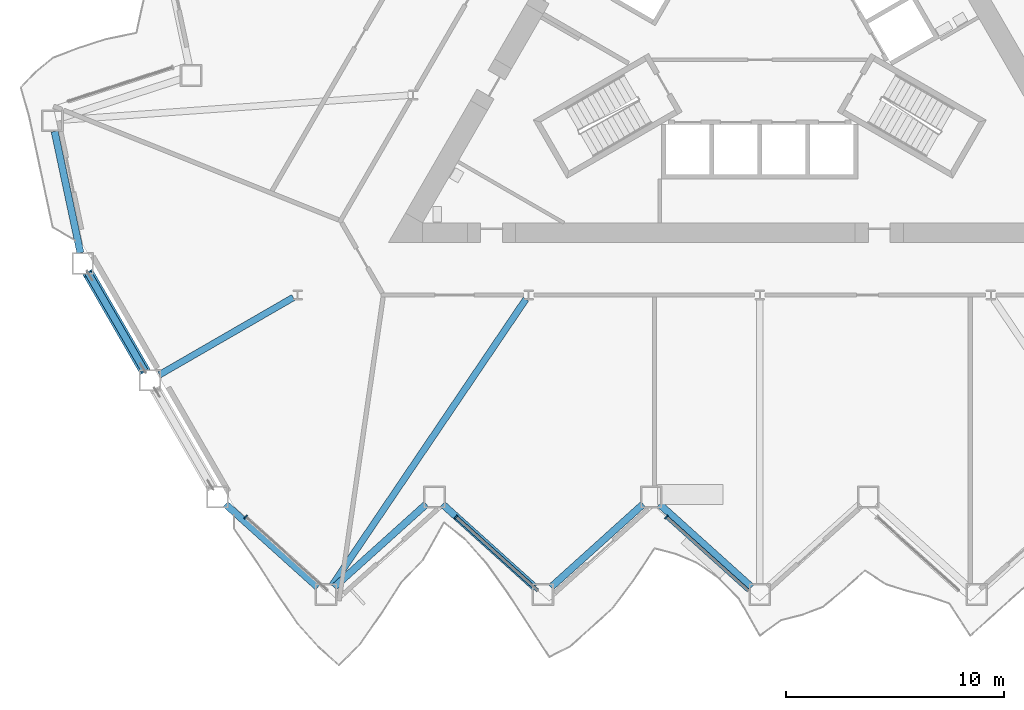
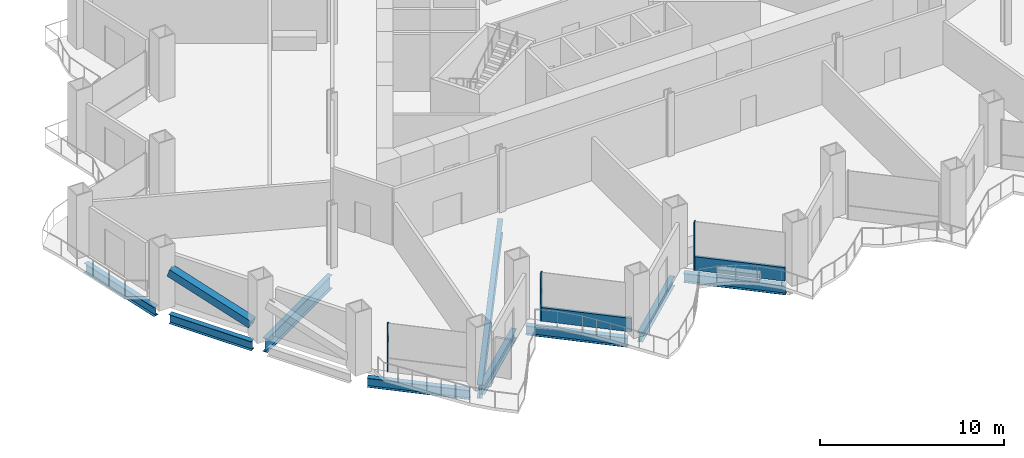
# One storey, part 2 of 20: 9 beams, 6 members, 3 elements without a shape of their own.
"""IFC4 building model written with IfcOpenShell, lengths in metres."""

from ifc_helpers import new_model, si_unit, direction, frame, origin, origin_2d, place, context, subcontext, project, spatial, rectangle, hollow_rectangle, i_section, extrude, material, layer, layer_set, material_profile, profile_set, type_object, element, aggregate, save


model = new_model("IFC4")

# Units and contexts
model_context = context("Model", 3, precision=1e-05, world=origin(), true_north=direction((0.0, 1.0)))
body_context = subcontext(model_context, "Body", "Model", "MODEL_VIEW")
ifc_project = project(units=[si_unit("LENGTHUNIT", "METRE"), si_unit("AREAUNIT", "SQUARE_METRE"), si_unit("VOLUMEUNIT", "CUBIC_METRE"), si_unit("PLANEANGLEUNIT", "RADIAN"), si_unit("MASSUNIT", "GRAM", prefix="KILO")], contexts=[model_context])

# Site, building, storey
site_placement = place(None, origin())
site = spatial("IfcSite", under=ifc_project, at=site_placement, CompositionType="ELEMENT")
building_placement = place(site_placement, origin())
building = spatial("IfcBuilding", under=site, at=building_placement, Name="Cormorant Prow Tower", CompositionType="ELEMENT")
storey_placement = place(building_placement, frame((0.0, 0.0, 38.39990234375)))
storey = spatial("IfcBuildingStorey", under=building, at=storey_placement, Name="L07", CompositionType="ELEMENT", Elevation=38.39990234375)

# Member
ifc_material_1 = material(Name="Structural steel ASTM A500 Gr C", Category="steel")
ifc_material_profile_1 = material_profile(ifc_material_1, hollow_rectangle(XDim=0.508056640625, YDim=0.508056640625, WallThickness=0.014892578125, at=origin_2d()), Name="HSS20x20x5/8")
ifc_profile_set_1 = profile_set([ifc_material_profile_1], Name="Structural steel ASTM A500 Gr C")
member_type_1 = type_object("IfcMemberType", Name="Chamfer brace HSS20x20x5/8", PredefinedType="BRACE", material=ifc_profile_set_1)
member_1_placement = place(storey_placement, frame((-28.174560546875, -15.667724609375, 0.767333984375), z_axis=(-0.475875326044, 0.824258984489, 0.306822099191), x_axis=(-0.866030326616, -0.499991473309, 0.0)))
element("IfcMember", 1, at=member_1_placement, inside=storey, type_object=member_type_1, Name="Chamfer brace BR1 at WSW00 L07", PredefinedType="BRACE", context=body_context, shape_type="SweptSolid", body=[
    extrude(hollow_rectangle(XDim=0.508056640625, YDim=0.508056640625, WallThickness=0.014892578125, at=origin_2d()), origin(), (0.0, 0.0, 1.0), 5.392578125),
])

# Curtain wall, member
ifc_material_2 = material(Name="Aluminium 6063-T6", Category="aluminium")
ifc_layer = layer(ifc_material_2, 0.199951171875)
ifc_layer_set = layer_set([ifc_layer], Name="Aluminium 6063-T6")
curtain_wall_type = type_object("IfcCurtainWallType", Name="Office unitised curtain wall 200", PredefinedType="NOTDEFINED", material=ifc_layer_set)
curtain_wall_1_placement = place(storey_placement, origin())
curtain_wall_1 = element("IfcCurtainWall", 2, at=curtain_wall_1_placement, inside=storey, type_object=curtain_wall_type, Name="Office curtain wall S00", PredefinedType="NOTDEFINED")
ifc_material_3 = material(Name="Aluminium 6063-T6", Category="aluminium")
ifc_material_profile_2 = material_profile(ifc_material_3, rectangle(XDim=0.199951171875, YDim=0.06005859375, at=origin_2d()), Name="Office mullion 60x200")
ifc_profile_set_2 = profile_set([ifc_material_profile_2], Name="Aluminium 6063-T6")
member_type_2 = type_object("IfcMemberType", Name="Office mullion 60x200", PredefinedType="MULLION", material=ifc_profile_set_2)
member_2_placement = place(storey_placement, frame((-23.54296875, -22.379150390625, 0.0), z_axis=(0.0, 0.0, 1.0), x_axis=(0.669130597396, 0.743144833547, 0.0)))
member_2 = element("IfcMember", 3, at=member_2_placement, type_object=member_type_2, Name="Office mullion S00", PredefinedType="MULLION", context=body_context, shape_type="SweptSolid", body=[
    extrude(rectangle(XDim=0.199951171875, YDim=0.06005859375, at=origin_2d()), origin(), (0.0, 0.0, 1.0), 3.18896484375),
])
aggregate(curtain_wall_1, [member_2])

curtain_wall_2_placement = place(storey_placement, origin())
curtain_wall_2 = element("IfcCurtainWall", 4, at=curtain_wall_2_placement, inside=storey, type_object=curtain_wall_type, Name="Office curtain wall S02", PredefinedType="NOTDEFINED")
member_3_placement = place(storey_placement, frame((-13.907958984375, -22.379150390625, 0.0), z_axis=(0.0, 0.0, 1.0), x_axis=(0.66913052069, 0.743144902614, 0.0)))
member_3 = element("IfcMember", 5, at=member_3_placement, type_object=member_type_2, Name="Office mullion S02", PredefinedType="MULLION", context=body_context, shape_type="SweptSolid", body=[
    extrude(rectangle(XDim=0.199951171875, YDim=0.06005859375, at=origin_2d()), origin(), (0.0, 0.0, 1.0), 3.18896484375),
])

curtain_wall_3_placement = place(storey_placement, origin())
curtain_wall_3 = element("IfcCurtainWall", 6, at=curtain_wall_3_placement, inside=storey, type_object=curtain_wall_type, Name="Office curtain wall S04", PredefinedType="NOTDEFINED")
member_4_placement = place(storey_placement, frame((-4.27294921875, -22.379150390625, 0.0), z_axis=(0.0, 0.0, 1.0), x_axis=(0.669130597396, 0.743144833547, 0.0)))
member_4 = element("IfcMember", 7, at=member_4_placement, type_object=member_type_2, Name="Office mullion S04", PredefinedType="MULLION", context=body_context, shape_type="SweptSolid", body=[
    extrude(rectangle(XDim=0.199951171875, YDim=0.06005859375, at=origin_2d()), origin(), (0.0, 0.0, 1.0), 3.18896484375),
])

# Member
ifc_material_4 = material(Name="Terracotta", Category="masonry")
ifc_material_profile_3 = material_profile(ifc_material_4, rectangle(XDim=0.159912109375, YDim=0.89990234375, at=origin_2d()), Name="Office terracotta spandrel rail 160x900")
ifc_profile_set_3 = profile_set([ifc_material_profile_3], Name="Terracotta")
member_type_3 = type_object("IfcMemberType", Name="Office terracotta spandrel rail 160x900", PredefinedType="USERDEFINED", material=ifc_profile_set_3)
member_5_placement = place(storey_placement, frame((-13.8857421875, -22.399169921875, 0.4501953125), z_axis=(0.743146523264, -0.66912872077, 0.0), x_axis=(0.66912872077, 0.743146523264, 0.0)))
member_5 = element("IfcMember", 8, at=member_5_placement, type_object=member_type_3, Name="Office spandrel rail S02", ObjectType="TRANSOM", PredefinedType="USERDEFINED", context=body_context, shape_type="SweptSolid", body=[
    extrude(rectangle(XDim=0.159912109375, YDim=0.89990234375, at=origin_2d()), origin(), (0.0, 0.0, 1.0), 5.016845703125),
])

aggregate(curtain_wall_2, [member_3, member_5])

member_6_placement = place(storey_placement, frame((-4.25048828125, -22.399169921875, 0.4501953125), z_axis=(0.743124733633, -0.669152919938, 0.0), x_axis=(0.669152919938, 0.743124733633, 0.0)))
member_6 = element("IfcMember", 9, at=member_6_placement, type_object=member_type_3, Name="Office spandrel rail S04", ObjectType="TRANSOM", PredefinedType="USERDEFINED", context=body_context, shape_type="SweptSolid", body=[
    extrude(rectangle(XDim=0.159912109375, YDim=0.89990234375, at=origin_2d()), origin(), (0.0, 0.0, 1.0), 5.0166015625),
])

aggregate(curtain_wall_3, [member_4, member_6])

# Beams
ifc_material_5 = material(Name="Structural steel ASTM A992 Gr 50", Category="steel")
ifc_material_profile_4 = material_profile(ifc_material_5, i_section(OverallWidth=0.3046875, OverallDepth=0.914794921875, WebThickness=0.0166015625, FlangeThickness=0.02587890625, at=origin_2d()), Name="W36x160")
ifc_profile_set_4 = profile_set([ifc_material_profile_4], Name="Structural steel ASTM A992 Gr 50")
beam_type_1 = type_object("IfcBeamType", Name="Radial floor beam W36x160", PredefinedType="BEAM", material=ifc_profile_set_4)
beam_1_placement = place(storey_placement, frame((-21.358154296875, -12.3310546875, -0.857177734375), z_axis=(-0.866014253463, -0.500019312426, 0.0), x_axis=(0.500019312426, -0.866014253463, 0.0)))
element("IfcBeam", 10, at=beam_1_placement, inside=storey, type_object=beam_type_1, Name="Radial floor beam FB1 5 L07", PredefinedType="BEAM", context=body_context, shape_type="SweptSolid", body=[
    extrude(i_section(OverallWidth=0.3046875, OverallDepth=0.914794921875, WebThickness=0.0166015625, FlangeThickness=0.02587890625, at=origin_2d()), origin(), (0.0, 0.0, 1.0), 7.071533203125),
])
beam_2_placement = place(storey_placement, frame((-10.708740234375, -12.4072265625, -0.857177734375), z_axis=(-0.560597160775, -0.828088656685, 0.0), x_axis=(0.828088656685, -0.560597160775, 0.0)))
element("IfcBeam", 11, at=beam_2_placement, inside=storey, type_object=beam_type_1, Name="Radial floor beam FB1 6 L07", PredefinedType="BEAM", context=body_context, shape_type="SweptSolid", body=[
    extrude(i_section(OverallWidth=0.3046875, OverallDepth=0.914794921875, WebThickness=0.0166015625, FlangeThickness=0.02587890625, at=origin_2d()), origin(), (0.0, 0.0, 1.0), 15.831787109375),
])
ifc_material_6 = material(Name="Structural steel ASTM A992 Gr 50", Category="steel")
ifc_material_profile_5 = material_profile(ifc_material_6, i_section(OverallWidth=0.32373046875, OverallDepth=0.611083984375, WebThickness=0.0126953125, FlangeThickness=0.01904296875, at=origin_2d()), Name="W24x104")
ifc_profile_set_5 = profile_set([ifc_material_profile_5], Name="Structural steel ASTM A992 Gr 50")
beam_type_2 = type_object("IfcBeamType", Name="Spandrel beam W24x104", PredefinedType="SPANDREL", material=ifc_profile_set_5)
for number, where, z_axis, x_axis, name in (
    (12, (-24.458740234375, -21.79443359375, -0.70556640625), (0.743129630386, -0.669147481833, 0.0), (0.669147481833, 0.743129630386, 0.0), "Spandrel beam SB1 S00-S01 L07"),
    (13, (-19.49267578125, -25.596923828125, -0.70556640625), (0.743129630386, 0.669147481833, 0.0), (-0.669147481833, 0.743129630386, 0.0), "Spandrel beam SB1 S01-S02 L07"),
    (14, (-14.526611328125, -21.79443359375, -0.70556640625), (0.743129630386, -0.669147481833, 0.0), (0.669147481833, 0.743129630386, 0.0), "Spandrel beam SB1 S02-S03 L07"),
    (15, (-9.560546875, -25.596923828125, -0.70556640625), (0.743129630386, 0.669147481833, 0.0), (-0.669147481833, 0.743129630386, 0.0), "Spandrel beam SB1 S03-S04 L07"),
    (16, (-4.594482421875, -21.79443359375, -0.70556640625), (0.743129630386, -0.669147481833, 0.0), (0.669147481833, 0.743129630386, 0.0), "Spandrel beam SB1 S04-S05 L07"),
    (17, (-32.285400390625, -4.726318359375, -0.70556640625), (0.207900376723, -0.97815000555, 0.0), (0.97815000555, 0.207900376723, 0.0), "Spandrel beam SB1 WNW09-WSW00 L07"),
):
    element("IfcBeam", number, at=place(storey_placement, frame(where, z_axis=z_axis, x_axis=x_axis)), inside=storey, type_object=beam_type_2, Name=name, PredefinedType="SPANDREL", context=body_context, shape_type="SweptSolid", body=[
        extrude(i_section(OverallWidth=0.32373046875, OverallDepth=0.611083984375, WebThickness=0.0126953125, FlangeThickness=0.01904296875, at=origin_2d()), origin(), (0.0, 0.0, 1.0), 5.6826171875),
    ])
beam_3_placement = place(storey_placement, frame((-30.75, -11.206787109375, -0.70556640625), z_axis=(0.49998408811, -0.866034590324, 0.0), x_axis=(0.866034590324, 0.49998408811, 0.0)))
element("IfcBeam", 18, at=beam_3_placement, inside=storey, type_object=beam_type_2, Name="Spandrel beam SB1 WSW00-WSW01 L07", PredefinedType="SPANDREL", context=body_context, shape_type="SweptSolid", body=[
    extrude(i_section(OverallWidth=0.32373046875, OverallDepth=0.611083984375, WebThickness=0.0126953125, FlangeThickness=0.01904296875, at=origin_2d()), origin(), (0.0, 0.0, 1.0), 5.169677734375),
])

save(model, "model.ifc")
